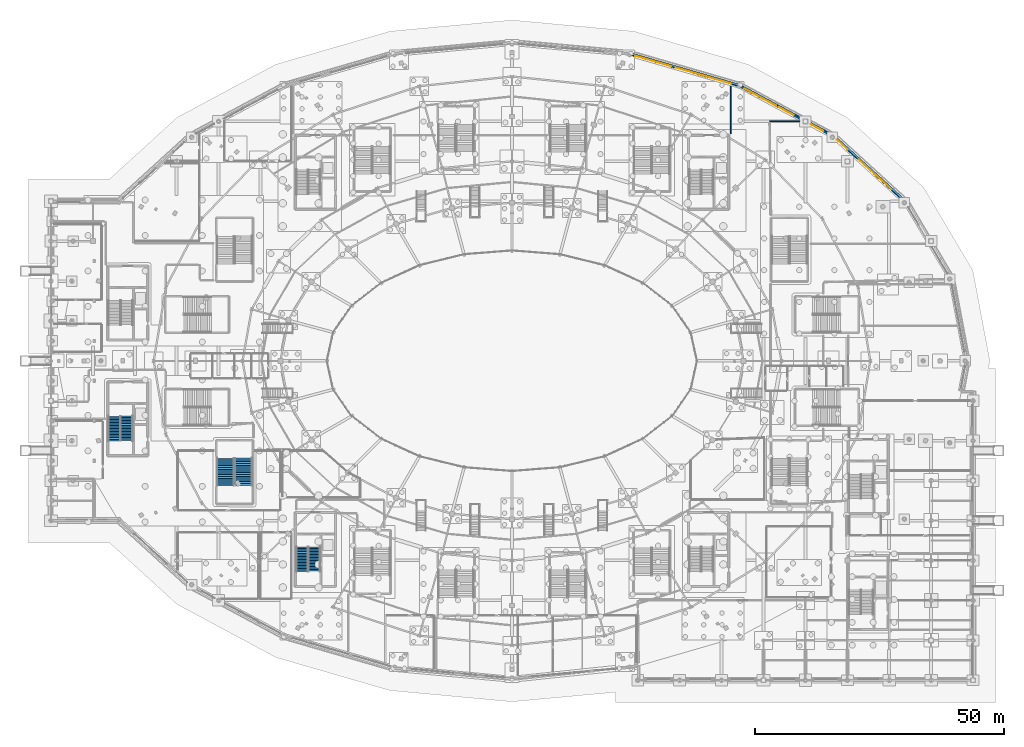
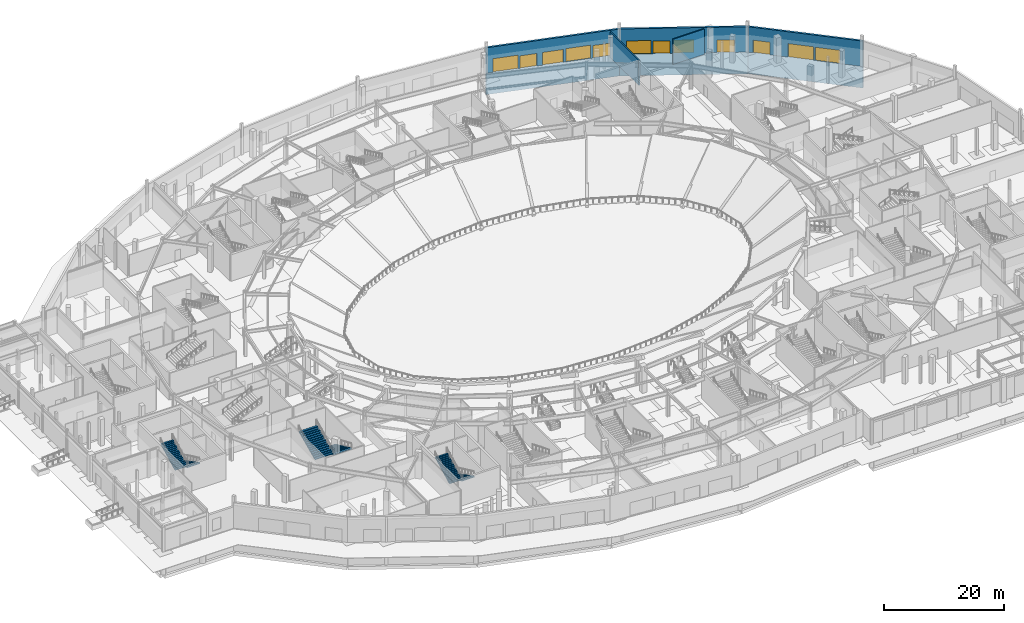
# One storey, part 64 of 93: 12 doors, 8 walls, 6 stair flights, 12 openings, 3 elements without a shape of their own.
"""IFC4 building model written with IfcOpenShell, lengths in metres."""

from ifc_helpers import new_model, si_unit, direction, frame, frame_2d, origin, place, context, subcontext, project, spatial, polyline, rectangle, outline, extrude, material, layer, layer_set, type_object, element, fill, aggregate, save


model = new_model("IFC4")

# Units and contexts
model_context = context("Model", 3, precision=1e-05, world=origin(), true_north=direction((0.0, 1.0)))
body_context = subcontext(model_context, "Body", "Model", "MODEL_VIEW")
ifc_project = project(units=[si_unit("LENGTHUNIT", "METRE"), si_unit("AREAUNIT", "SQUARE_METRE"), si_unit("VOLUMEUNIT", "CUBIC_METRE"), si_unit("PLANEANGLEUNIT", "RADIAN"), si_unit("MASSUNIT", "GRAM", prefix="KILO")], contexts=[model_context])

# Site, building, storey
site_placement = place(None, origin())
site = spatial("IfcSite", under=ifc_project, at=site_placement, CompositionType="ELEMENT")
building_placement = place(site_placement, origin())
building = spatial("IfcBuilding", under=site, at=building_placement, Name="Kalgoora Escarpment Arena", CompositionType="ELEMENT")
storey_placement = place(building_placement, origin())
storey = spatial("IfcBuildingStorey", under=building, at=storey_placement, Name="L00", CompositionType="ELEMENT", Elevation=0.0)

# Wall, openings, doors
ifc_material_1 = material(Name="Cream limestone-faced precast concrete 40 MPa", Category="masonry")
ifc_layer_1 = layer(ifc_material_1, 0.360107421875)
ifc_layer_set_1 = layer_set([ifc_layer_1], Name="WAL-EXT-360")
wall_type_1 = type_object("IfcWallType", Name="WAL-EXT-360", PredefinedType="SOLIDWALL", material=ifc_layer_set_1)
wall_1_placement = place(storey_placement, frame((115.91259765625, 125.465087890625, 0.0), z_axis=(0.0, 0.0, 1.0), x_axis=(0.960489205427, -0.278317240319, 0.0)))
wall_1 = element("IfcWall", 1, at=wall_1_placement, inside=storey, type_object=wall_type_1, Name="L00 limestone-faced external wall 018", PredefinedType="SOLIDWALL", context=body_context, shape_type="SweptSolid", body=[
    extrude(rectangle(XDim=22.987060546875, YDim=0.360107421875, at=frame_2d((11.49365234375, 0.0))), origin(), (0.0, 0.0, 1.0), 5.14990234375),
])
opening_1_placement = place(wall_1_placement, frame((9.693115234375, 0.0, 0.0)))
opening_1 = element("IfcOpeningElement", 2, at=opening_1_placement, cuts=wall_1, Name="Opening E7", PredefinedType="OPENING", context=body_context, shape_type="SweptSolid", body=[
    extrude(rectangle(XDim=3.60009765625, YDim=2.60009765625, at=frame_2d((1.800048828125, 1.300048828125))), frame((0.0, 0.18994140625, 0.0), z_axis=(0.0, -1.0, 0.0), x_axis=(1.0, 0.0, 0.0)), (0.0, 0.0, 1.0), 0.380126953125),
])
opening_2_placement = place(wall_1_placement, frame((1.219970703125, 0.0, 0.0)))
opening_2 = element("IfcOpeningElement", 3, at=opening_2_placement, cuts=wall_1, Name="Opening G26", PredefinedType="OPENING", context=body_context, shape_type="SweptSolid", body=[
    extrude(rectangle(XDim=4.300048828125, YDim=2.75, at=frame_2d((2.14990234375, 1.375))), frame((0.0, 0.18994140625, 0.0), z_axis=(0.0, -1.0, 0.0), x_axis=(1.0, 0.0, 0.0)), (0.0, 0.0, 1.0), 0.380126953125),
])
opening_3_placement = place(wall_1_placement, frame((13.760009765625, 0.0, 0.0)))
opening_3 = element("IfcOpeningElement", 4, at=opening_3_placement, cuts=wall_1, Name="Opening G27", PredefinedType="OPENING", context=body_context, shape_type="SweptSolid", body=[
    extrude(rectangle(XDim=4.199951171875, YDim=2.699951171875, at=frame_2d((2.10009765625, 1.35009765625))), frame((0.0, 0.18994140625, 0.0), z_axis=(0.0, -1.0, 0.0), x_axis=(1.0, 0.0, 0.0)), (0.0, 0.0, 1.0), 0.380126953125),
])
opening_4_placement = place(wall_1_placement, frame((5.840087890625, 0.0, 0.0)))
opening_4 = element("IfcOpeningElement", 5, at=opening_4_placement, cuts=wall_1, Name="Opening G53", PredefinedType="OPENING", context=body_context, shape_type="SweptSolid", body=[
    extrude(rectangle(XDim=2.89990234375, YDim=2.550048828125, at=frame_2d((1.449951171875, 1.27490234375))), frame((0.0, 0.18994140625, 0.0), z_axis=(0.0, -1.0, 0.0), x_axis=(1.0, 0.0, 0.0)), (0.0, 0.0, 1.0), 0.380126953125),
])
opening_5_placement = place(wall_1_placement, frame((18.3798828125, 0.0, 0.0)))
opening_5 = element("IfcOpeningElement", 6, at=opening_5_placement, cuts=wall_1, Name="Opening G54", PredefinedType="OPENING", context=body_context, shape_type="SweptSolid", body=[
    extrude(rectangle(XDim=2.89990234375, YDim=2.550048828125, at=frame_2d((1.449951171875, 1.27490234375))), frame((0.0, 0.18994140625, 0.0), z_axis=(0.0, -1.0, 0.0), x_axis=(1.0, 0.0, 0.0)), (0.0, 0.0, 1.0), 0.380126953125),
])
ifc_material_2 = material(Name="Champagne anodised aluminium acoustic egress leaf", Category="aluminium")
door_type_1 = type_object("IfcDoorType", Name="DR-EGEXIT-2750", OperationType="NOTDEFINED", PredefinedType="DOOR", material=ifc_material_2)
door_1_placement = place(opening_3_placement, origin())
door_1 = element("IfcDoor", 7, at=door_1_placement, inside=storey, type_object=door_type_1, Name="Final pedestrian exit door G27", OperationType="DOUBLE_DOOR_SINGLE_SWING", OverallHeight=2.699951171875, OverallWidth=4.199951171875, PredefinedType="DOOR", context=body_context, shape_type="SweptSolid", body=[
    extrude(rectangle(XDim=4.199951171875, YDim=2.699951171875, at=frame_2d((2.10009765625, 1.35009765625))), frame((0.0, 0.02490234375, 0.0), z_axis=(0.0, -1.0, 0.0), x_axis=(1.0, 0.0, 0.0)), (0.0, 0.0, 1.0), 0.050048828125),
])
fill(opening_3, door_1)
ifc_material_3 = material(Name="Champagne anodised aluminium acoustic egress leaf", Category="aluminium")
door_type_2 = type_object("IfcDoorType", Name="DR-EGEXIT-2800", OperationType="NOTDEFINED", PredefinedType="DOOR", material=ifc_material_3)
door_2_placement = place(opening_2_placement, origin())
door_2 = element("IfcDoor", 8, at=door_2_placement, inside=storey, type_object=door_type_2, Name="Final pedestrian exit door G26", OperationType="DOUBLE_DOOR_SINGLE_SWING", OverallHeight=2.75, OverallWidth=4.300048828125, PredefinedType="DOOR", context=body_context, shape_type="SweptSolid", body=[
    extrude(rectangle(XDim=4.300048828125, YDim=2.75, at=frame_2d((2.14990234375, 1.375))), frame((0.0, 0.02490234375, 0.0), z_axis=(0.0, -1.0, 0.0), x_axis=(1.0, 0.0, 0.0)), (0.0, 0.0, 1.0), 0.050048828125),
])
fill(opening_2, door_2)
ifc_material_4 = material(Name="Champagne anodised aluminium & toughened glass", Category="aluminium")
door_type_3 = type_object("IfcDoorType", Name="DR-MAIN-3600", OperationType="NOTDEFINED", PredefinedType="DOOR", material=ifc_material_4)
door_3_placement = place(opening_1_placement, origin())
door_3 = element("IfcDoor", 9, at=door_3_placement, inside=storey, type_object=door_type_3, Name="Main entrance E7", OperationType="DOUBLE_DOOR_SINGLE_SWING", OverallHeight=2.60009765625, OverallWidth=3.60009765625, PredefinedType="DOOR", context=body_context, shape_type="SweptSolid", body=[
    extrude(rectangle(XDim=3.60009765625, YDim=2.60009765625, at=frame_2d((1.800048828125, 1.300048828125))), frame((0.0, 0.02490234375, 0.0), z_axis=(0.0, -1.0, 0.0), x_axis=(1.0, 0.0, 0.0)), (0.0, 0.0, 1.0), 0.050048828125),
])
fill(opening_1, door_3)
ifc_material_5 = material(Name="Champagne anodised aluminium pedestrian egress gate leaf", Category="aluminium")
door_type_4 = type_object("IfcDoorType", Name="DR-PEDGATE-2900", OperationType="NOTDEFINED", PredefinedType="DOOR", material=ifc_material_5)
door_4_placement = place(opening_4_placement, origin())
door_4 = element("IfcDoor", 10, at=door_4_placement, inside=storey, type_object=door_type_4, Name="Final pedestrian exit door G53", OperationType="DOUBLE_DOOR_SINGLE_SWING", OverallHeight=2.550048828125, OverallWidth=2.89990234375, PredefinedType="DOOR", context=body_context, shape_type="SweptSolid", body=[
    extrude(rectangle(XDim=2.89990234375, YDim=2.550048828125, at=frame_2d((1.449951171875, 1.27490234375))), frame((0.0, 0.02490234375, 0.0), z_axis=(0.0, -1.0, 0.0), x_axis=(1.0, 0.0, 0.0)), (0.0, 0.0, 1.0), 0.050048828125),
])
fill(opening_4, door_4)
door_5_placement = place(opening_5_placement, origin())
door_5 = element("IfcDoor", 11, at=door_5_placement, inside=storey, type_object=door_type_4, Name="Final pedestrian exit door G54", OperationType="DOUBLE_DOOR_SINGLE_SWING", OverallHeight=2.550048828125, OverallWidth=2.89990234375, PredefinedType="DOOR", context=body_context, shape_type="SweptSolid", body=[
    extrude(rectangle(XDim=2.89990234375, YDim=2.550048828125, at=frame_2d((1.449951171875, 1.27490234375))), frame((0.0, 0.02490234375, 0.0), z_axis=(0.0, -1.0, 0.0), x_axis=(1.0, 0.0, 0.0)), (0.0, 0.0, 1.0), 0.050048828125),
])
fill(opening_5, door_5)

wall_2_placement = place(storey_placement, frame((137.876708984375, 119.1142578125, 0.0), z_axis=(0.0, 0.0, 1.0), x_axis=(0.881084068803, -0.47295968507, 0.0)))
wall_2 = element("IfcWall", 12, at=wall_2_placement, inside=storey, type_object=wall_type_1, Name="L00 limestone-faced external wall 019", PredefinedType="SOLIDWALL", context=body_context, shape_type="SweptSolid", body=[
    extrude(rectangle(XDim=21.52392578125, YDim=0.360107421875, at=frame_2d((10.761962890625, 0.0))), origin(), (0.0, 0.0, 1.0), 5.14990234375),
])
opening_6_placement = place(wall_2_placement, frame((16.31005859375, 0.0, 0.0)))
opening_6 = element("IfcOpeningElement", 13, at=opening_6_placement, cuts=wall_2, Name="Opening G03", PredefinedType="OPENING", context=body_context, shape_type="SweptSolid", body=[
    extrude(rectangle(XDim=2.89990234375, YDim=2.550048828125, at=frame_2d((1.449951171875, 1.27490234375))), frame((0.0, 0.18994140625, 0.0), z_axis=(0.0, -1.0, 0.0), x_axis=(1.0, 0.0, 0.0)), (0.0, 0.0, 1.0), 0.380126953125),
])
opening_7_placement = place(wall_2_placement, frame((9.037109375, 0.0, 0.0)))
opening_7 = element("IfcOpeningElement", 14, at=opening_7_placement, cuts=wall_2, Name="Opening E8", PredefinedType="OPENING", context=body_context, shape_type="SweptSolid", body=[
    extrude(rectangle(XDim=3.449951171875, YDim=2.60009765625, at=frame_2d((1.72509765625, 1.300048828125))), frame((0.0, 0.18994140625, 0.0), z_axis=(0.0, -1.0, 0.0), x_axis=(1.0, 0.0, 0.0)), (0.0, 0.0, 1.0), 0.380126953125),
])
opening_8_placement = place(wall_2_placement, frame((1.219970703125, 0.0, 0.0)))
opening_8 = element("IfcOpeningElement", 15, at=opening_8_placement, cuts=wall_2, Name="Opening G28", PredefinedType="OPENING", context=body_context, shape_type="SweptSolid", body=[
    extrude(rectangle(XDim=4.10009765625, YDim=2.699951171875, at=frame_2d((2.050048828125, 1.35009765625))), frame((0.0, 0.18994140625, 0.0), z_axis=(0.0, -1.0, 0.0), x_axis=(1.0, 0.0, 0.0)), (0.0, 0.0, 1.0), 0.380126953125),
])
opening_9_placement = place(wall_2_placement, frame((5.6201171875, 0.0, 0.0)))
opening_9 = element("IfcOpeningElement", 16, at=opening_9_placement, cuts=wall_2, Name="Opening G55", PredefinedType="OPENING", context=body_context, shape_type="SweptSolid", body=[
    extrude(rectangle(XDim=2.89990234375, YDim=2.550048828125, at=frame_2d((1.449951171875, 1.27490234375))), frame((0.0, 0.18994140625, 0.0), z_axis=(0.0, -1.0, 0.0), x_axis=(1.0, 0.0, 0.0)), (0.0, 0.0, 1.0), 0.380126953125),
])
ifc_material_6 = material(Name="Champagne anodised aluminium acoustic egress leaf", Category="aluminium")
door_type_5 = type_object("IfcDoorType", Name="DR-EGEXIT-2700", OperationType="NOTDEFINED", PredefinedType="DOOR", material=ifc_material_6)
door_6_placement = place(opening_8_placement, origin())
door_6 = element("IfcDoor", 17, at=door_6_placement, inside=storey, type_object=door_type_5, Name="Final pedestrian exit door G28", OperationType="DOUBLE_DOOR_SINGLE_SWING", OverallHeight=2.699951171875, OverallWidth=4.10009765625, PredefinedType="DOOR", context=body_context, shape_type="SweptSolid", body=[
    extrude(rectangle(XDim=4.10009765625, YDim=2.699951171875, at=frame_2d((2.050048828125, 1.35009765625))), frame((0.0, 0.02490234375, 0.0), z_axis=(0.0, -1.0, 0.0), x_axis=(1.0, 0.0, 0.0)), (0.0, 0.0, 1.0), 0.050048828125),
])
fill(opening_8, door_6)
ifc_material_7 = material(Name="Champagne anodised aluminium & toughened glass", Category="aluminium")
door_type_6 = type_object("IfcDoorType", Name="DR-MAIN-3450", OperationType="NOTDEFINED", PredefinedType="DOOR", material=ifc_material_7)
door_7_placement = place(opening_7_placement, origin())
door_7 = element("IfcDoor", 18, at=door_7_placement, inside=storey, type_object=door_type_6, Name="Main entrance E8", OperationType="DOUBLE_DOOR_SINGLE_SWING", OverallHeight=2.60009765625, OverallWidth=3.449951171875, PredefinedType="DOOR", context=body_context, shape_type="SweptSolid", body=[
    extrude(rectangle(XDim=3.449951171875, YDim=2.60009765625, at=frame_2d((1.72509765625, 1.300048828125))), frame((0.0, 0.02490234375, 0.0), z_axis=(0.0, -1.0, 0.0), x_axis=(1.0, 0.0, 0.0)), (0.0, 0.0, 1.0), 0.050048828125),
])
fill(opening_7, door_7)
door_8_placement = place(opening_6_placement, origin())
door_8 = element("IfcDoor", 19, at=door_8_placement, inside=storey, type_object=door_type_4, Name="Final pedestrian exit door G03", OperationType="DOUBLE_DOOR_SINGLE_SWING", OverallHeight=2.550048828125, OverallWidth=2.89990234375, PredefinedType="DOOR", context=body_context, shape_type="SweptSolid", body=[
    extrude(rectangle(XDim=2.89990234375, YDim=2.550048828125, at=frame_2d((1.449951171875, 1.27490234375))), frame((0.0, 0.02490234375, 0.0), z_axis=(0.0, -1.0, 0.0), x_axis=(1.0, 0.0, 0.0)), (0.0, 0.0, 1.0), 0.050048828125),
])
fill(opening_6, door_8)
door_9_placement = place(opening_9_placement, origin())
door_9 = element("IfcDoor", 20, at=door_9_placement, inside=storey, type_object=door_type_4, Name="Final pedestrian exit door G55", OperationType="DOUBLE_DOOR_SINGLE_SWING", OverallHeight=2.550048828125, OverallWidth=2.89990234375, PredefinedType="DOOR", context=body_context, shape_type="SweptSolid", body=[
    extrude(rectangle(XDim=2.89990234375, YDim=2.550048828125, at=frame_2d((1.449951171875, 1.27490234375))), frame((0.0, 0.02490234375, 0.0), z_axis=(0.0, -1.0, 0.0), x_axis=(1.0, 0.0, 0.0)), (0.0, 0.0, 1.0), 0.050048828125),
])
fill(opening_9, door_9)

wall_3_placement = place(storey_placement, frame((156.73486328125, 109.009521484375, 0.0), z_axis=(0.0, 0.0, 1.0), x_axis=(0.73898542478, -0.673721412724, 0.0)))
wall_3 = element("IfcWall", 21, at=wall_3_placement, inside=storey, type_object=wall_type_1, Name="L00 limestone-faced external wall 020", PredefinedType="SOLIDWALL", context=body_context, shape_type="SweptSolid", body=[
    extrude(rectangle(XDim=19.69921875, YDim=0.360107421875, at=frame_2d((9.849609375, 0.0))), origin(), (0.0, 0.0, 1.0), 5.14990234375),
])
opening_10_placement = place(wall_3_placement, frame((6.93994140625, 0.0, 0.0)))
opening_10 = element("IfcOpeningElement", 22, at=opening_10_placement, cuts=wall_3, Name="Opening G34", PredefinedType="OPENING", context=body_context, shape_type="SweptSolid", body=[
    extrude(rectangle(XDim=4.300048828125, YDim=2.75, at=frame_2d((2.14990234375, 1.375))), frame((0.0, 0.18994140625, 0.0), z_axis=(0.0, -1.0, 0.0), x_axis=(1.0, 0.0, 0.0)), (0.0, 0.0, 1.0), 0.380126953125),
])
opening_11_placement = place(wall_3_placement, frame((11.56005859375, 0.0, 0.0)))
opening_11 = element("IfcOpeningElement", 23, at=opening_11_placement, cuts=wall_3, Name="Opening G35", PredefinedType="OPENING", context=body_context, shape_type="SweptSolid", body=[
    extrude(rectangle(XDim=4.199951171875, YDim=2.699951171875, at=frame_2d((2.10009765625, 1.35009765625))), frame((0.0, 0.18994140625, 0.0), z_axis=(0.0, -1.0, 0.0), x_axis=(1.0, 0.0, 0.0)), (0.0, 0.0, 1.0), 0.380126953125),
])
opening_12_placement = place(wall_3_placement, frame((1.0, 0.0, 0.0)))
opening_12 = element("IfcOpeningElement", 24, at=opening_12_placement, cuts=wall_3, Name="Opening G59", PredefinedType="OPENING", context=body_context, shape_type="SweptSolid", body=[
    extrude(rectangle(XDim=2.89990234375, YDim=2.550048828125, at=frame_2d((1.449951171875, 1.27490234375))), frame((0.0, 0.18994140625, 0.0), z_axis=(0.0, -1.0, 0.0), x_axis=(1.0, 0.0, 0.0)), (0.0, 0.0, 1.0), 0.380126953125),
])
door_10_placement = place(opening_11_placement, origin())
door_10 = element("IfcDoor", 25, at=door_10_placement, inside=storey, type_object=door_type_1, Name="Final pedestrian exit door G35", OperationType="DOUBLE_DOOR_SINGLE_SWING", OverallHeight=2.699951171875, OverallWidth=4.199951171875, PredefinedType="DOOR", context=body_context, shape_type="SweptSolid", body=[
    extrude(rectangle(XDim=4.199951171875, YDim=2.699951171875, at=frame_2d((2.10009765625, 1.35009765625))), frame((0.0, 0.02490234375, 0.0), z_axis=(0.0, -1.0, 0.0), x_axis=(1.0, 0.0, 0.0)), (0.0, 0.0, 1.0), 0.050048828125),
])
fill(opening_11, door_10)
door_11_placement = place(opening_10_placement, origin())
door_11 = element("IfcDoor", 26, at=door_11_placement, inside=storey, type_object=door_type_2, Name="Final pedestrian exit door G34", OperationType="DOUBLE_DOOR_SINGLE_SWING", OverallHeight=2.75, OverallWidth=4.300048828125, PredefinedType="DOOR", context=body_context, shape_type="SweptSolid", body=[
    extrude(rectangle(XDim=4.300048828125, YDim=2.75, at=frame_2d((2.14990234375, 1.375))), frame((0.0, 0.02490234375, 0.0), z_axis=(0.0, -1.0, 0.0), x_axis=(1.0, 0.0, 0.0)), (0.0, 0.0, 1.0), 0.050048828125),
])
fill(opening_10, door_11)
door_12_placement = place(opening_12_placement, origin())
door_12 = element("IfcDoor", 27, at=door_12_placement, inside=storey, type_object=door_type_4, Name="Final pedestrian exit door G59", OperationType="DOUBLE_DOOR_SINGLE_SWING", OverallHeight=2.550048828125, OverallWidth=2.89990234375, PredefinedType="DOOR", context=body_context, shape_type="SweptSolid", body=[
    extrude(rectangle(XDim=2.89990234375, YDim=2.550048828125, at=frame_2d((1.449951171875, 1.27490234375))), frame((0.0, 0.02490234375, 0.0), z_axis=(0.0, -1.0, 0.0), x_axis=(1.0, 0.0, 0.0)), (0.0, 0.0, 1.0), 0.050048828125),
])
fill(opening_12, door_12)

# Walls
ifc_material_8 = material(Name="Autoclaved aerated blockwork Concrete N40 (fc' 40 MPa)", Category="masonry")
ifc_layer_2 = layer(ifc_material_8, 0.219970703125)
ifc_layer_set_2 = layer_set([ifc_layer_2], Name="WAL-FIRE-220")
wall_type_2 = type_object("IfcWallType", Name="WAL-FIRE-220", PredefinedType="SOLIDWALL", material=ifc_layer_set_2)
wall_4_placement = place(storey_placement, frame((136.199951171875, 119.0380859375, 0.0), z_axis=(0.0, 0.0, 1.0), x_axis=(0.0, -1.0, 0.0)))
element("IfcWall", 28, at=wall_4_placement, inside=storey, type_object=wall_type_2, Name="L00 North Protected Exit Passageway partition wall", PredefinedType="SOLIDWALL", context=body_context, shape_type="SweptSolid", body=[
    extrude(rectangle(XDim=9.544677734375, YDim=0.219970703125, at=frame_2d((4.7724609375, 0.0))), origin(), (0.0, 0.0, 1.0), 5.1201171875),
])
wall_5_placement = place(storey_placement, frame((144.080078125, 112.0, 0.0), z_axis=(0.0, 0.0, 1.0), x_axis=(1.0, 0.0, 0.0)))
element("IfcWall", 29, at=wall_5_placement, inside=storey, type_object=wall_type_2, Name="L00 North-East Protected Exit Passageway 2 partition wall", PredefinedType="SOLIDWALL", context=body_context, shape_type="SweptSolid", body=[
    extrude(rectangle(XDim=6.0185546875, YDim=0.219970703125, at=frame_2d((3.00927734375, 0.0))), origin(), (0.0, 0.0, 1.0), 5.1201171875),
])
ifc_material_9 = material(Name="Concrete N40 (fc' 40 MPa)", Category="concrete")
ifc_layer_3 = layer(ifc_material_9, 0.39501953125)
ifc_layer_set_3 = layer_set([ifc_layer_3], Name="WAL-RET-395")
wall_type_3 = type_object("IfcWallType", Name="WAL-RET-395", PredefinedType="USERDEFINED", material=ifc_layer_set_3)
wall_6_placement = place(storey_placement, frame((116.00439453125, 125.626220703125, -4.5), z_axis=(0.0, 0.0, 1.0), x_axis=(0.960486896269, -0.278325209236, 0.0)))
element("IfcWall", 30, at=wall_6_placement, inside=storey, type_object=wall_type_3, Name="Escarpment stepped limestone plinth retaining wall 16", ObjectType="RETAININGWALL", PredefinedType="USERDEFINED", context=body_context, shape_type="SweptSolid", body=[
    extrude(rectangle(XDim=22.900390625, YDim=0.39501953125, at=frame_2d((11.4501953125, 0.0))), origin(), (0.0, 0.0, 1.0), 4.5),
])
wall_7_placement = place(storey_placement, frame((156.88818359375, 109.11328125, -4.5), z_axis=(0.0, 0.0, 1.0), x_axis=(0.73898628446, -0.673720469764, 0.0)))
element("IfcWall", 31, at=wall_7_placement, inside=storey, type_object=wall_type_3, Name="Escarpment stepped limestone plinth retaining wall 18", ObjectType="RETAININGWALL", PredefinedType="USERDEFINED", context=body_context, shape_type="SweptSolid", body=[
    extrude(rectangle(XDim=19.612548828125, YDim=0.39501953125, at=frame_2d((9.80615234375, 0.0))), origin(), (0.0, 0.0, 1.0), 4.5),
])
ifc_material_10 = material(Name="Concrete N40 (fc' 40 MPa)", Category="concrete")
ifc_layer_4 = layer(ifc_material_10, 0.43994140625)
ifc_layer_set_4 = layer_set([ifc_layer_4], Name="WAL-RET-440")
wall_type_4 = type_object("IfcWallType", Name="WAL-RET-440", PredefinedType="USERDEFINED", material=ifc_layer_set_4)
wall_8_placement = place(storey_placement, frame((138.0, 119.25244140625, -4.5), z_axis=(0.0, 0.0, 1.0), x_axis=(0.881081793717, -0.472963923339, 0.0)))
element("IfcWall", 32, at=wall_8_placement, inside=storey, type_object=wall_type_4, Name="Escarpment stepped limestone plinth retaining wall 17", ObjectType="RETAININGWALL", PredefinedType="USERDEFINED", context=body_context, shape_type="SweptSolid", body=[
    extrude(rectangle(XDim=21.4375, YDim=0.43994140625, at=frame_2d((10.71875, 0.0))), origin(), (0.0, 0.0, 1.0), 4.5),
])

# Stair, stair flights
ifc_material_11 = material(Name="Concrete N40 (fc' 40 MPa)", Category="concrete")
stair_type_1 = type_object("IfcStairType", Name="STR-EXIT-1", PredefinedType="HALF_TURN_STAIR", material=ifc_material_11)
stair_1_placement = place(storey_placement, origin())
stair_1 = element("IfcStair", 33, at=stair_1_placement, inside=storey, type_object=stair_type_1, Name="Fire-isolated exit stair ST05 (L00)", PredefinedType="HALF_TURN_STAIR")
ifc_material_12 = material(Name="Concrete N40 (fc' 40 MPa)", Category="concrete")
stair_flight_type_1 = type_object("IfcStairFlightType", Name="FLT-EXIT-1", PredefinedType="STRAIGHT", material=ifc_material_12)
stair_flight_1_placement = place(storey_placement, frame((52.760009765625, 26.72998046875, 0.0), z_axis=(0.0, 0.0, 1.0), x_axis=(0.0, -1.0, 0.0)))
stair_flight_1 = element("IfcStairFlight", 34, at=stair_flight_1_placement, type_object=stair_flight_type_1, Name="ST05 L00 lower flight", NumberOfRisers=17, NumberOfTreads=16, PredefinedType="STRAIGHT", RiserHeight=0.158824, TreadLength=0.305, context=body_context, shape_type="SweptSolid", body=[
    extrude(outline(polyline([(0.0, 0.0), (0.0, 0.158935546875), (0.304931640625, 0.158935546875), (0.304931640625, 0.317626953125), (0.610107421875, 0.317626953125), (0.610107421875, 0.4765625), (0.9150390625, 0.4765625), (0.9150390625, 0.63525390625), (1.219970703125, 0.63525390625), (1.219970703125, 0.794189453125), (1.52490234375, 0.794189453125), (1.52490234375, 0.952880859375), (1.830078125, 0.952880859375), (1.830078125, 1.11181640625), (2.135009765625, 1.11181640625), (2.135009765625, 1.2705078125), (2.43994140625, 1.2705078125), (2.43994140625, 1.429443359375), (2.7451171875, 1.429443359375), (2.7451171875, 1.588134765625), (3.050048828125, 1.588134765625), (3.050048828125, 1.7470703125), (3.35498046875, 1.7470703125), (3.35498046875, 1.906005859375), (3.659912109375, 1.906005859375), (3.659912109375, 2.064697265625), (3.965087890625, 2.064697265625), (3.965087890625, 2.2236328125), (4.27001953125, 2.2236328125), (4.27001953125, 2.38232421875), (4.574951171875, 2.38232421875), (4.574951171875, 2.541259765625), (4.8798828125, 2.541259765625), (4.8798828125, 2.699951171875), (4.8798828125, 2.349609375), (0.367919921875, 0.0), (0.0, 0.0)])), frame((0.0, 1.18994140625, 0.0), z_axis=(0.0, -1.0, 0.0), x_axis=(1.0, 0.0, 0.0)), (0.0, 0.0, 1.0), 2.3798828125),
])
stair_flight_2_placement = place(storey_placement, frame((50.340087890625, 21.7900390625, 2.699951171875), z_axis=(0.0, 0.0, 1.0), x_axis=(0.0, 1.0, 0.0)))
stair_flight_2 = element("IfcStairFlight", 35, at=stair_flight_2_placement, type_object=stair_flight_type_1, Name="ST05 L00 upper flight", NumberOfRisers=17, NumberOfTreads=16, PredefinedType="STRAIGHT", RiserHeight=0.158824, TreadLength=0.305, context=body_context, shape_type="SweptSolid", body=[
    extrude(outline(polyline([(0.0, 0.0), (0.0, 0.158935546875), (0.304931640625, 0.158935546875), (0.304931640625, 0.317626953125), (0.610107421875, 0.317626953125), (0.610107421875, 0.4765625), (0.9150390625, 0.4765625), (0.9150390625, 0.63525390625), (1.219970703125, 0.63525390625), (1.219970703125, 0.794189453125), (1.52490234375, 0.794189453125), (1.52490234375, 0.952880859375), (1.830078125, 0.952880859375), (1.830078125, 1.11181640625), (2.135009765625, 1.11181640625), (2.135009765625, 1.2705078125), (2.43994140625, 1.2705078125), (2.43994140625, 1.429443359375), (2.7451171875, 1.429443359375), (2.7451171875, 1.588134765625), (3.050048828125, 1.588134765625), (3.050048828125, 1.7470703125), (3.35498046875, 1.7470703125), (3.35498046875, 1.906005859375), (3.659912109375, 1.906005859375), (3.659912109375, 2.064697265625), (3.965087890625, 2.064697265625), (3.965087890625, 2.2236328125), (4.27001953125, 2.2236328125), (4.27001953125, 2.38232421875), (4.574951171875, 2.38232421875), (4.574951171875, 2.541259765625), (4.8798828125, 2.541259765625), (4.8798828125, 2.699951171875), (4.8798828125, 2.349609375), (0.367919921875, 0.0), (0.0, 0.0)])), frame((0.0, 1.18994140625, 0.0), z_axis=(0.0, -1.0, 0.0), x_axis=(1.0, 0.0, 0.0)), (0.0, 0.0, 1.0), 2.3798828125),
])
aggregate(stair_1, [stair_flight_1, stair_flight_2])

ifc_material_13 = material(Name="Concrete N40 (fc' 40 MPa)", Category="concrete")
stair_type_2 = type_object("IfcStairType", Name="STR-EXIT-2", PredefinedType="HALF_TURN_STAIR", material=ifc_material_13)
stair_2_placement = place(storey_placement, origin())
stair_2 = element("IfcStair", 36, at=stair_2_placement, inside=storey, type_object=stair_type_2, Name="Fire-isolated exit stair ST02 (L00)", PredefinedType="HALF_TURN_STAIR")
ifc_material_14 = material(Name="Concrete N40 (fc' 40 MPa)", Category="concrete")
stair_flight_type_2 = type_object("IfcStairFlightType", Name="FLT-EXIT-2", PredefinedType="STRAIGHT", material=ifc_material_14)
stair_flight_3_placement = place(storey_placement, frame((15.157470703125, 52.929931640625, 0.0), z_axis=(0.0, 0.0, 1.0), x_axis=(0.0, -1.0, 0.0)))
stair_flight_3 = element("IfcStairFlight", 37, at=stair_flight_3_placement, type_object=stair_flight_type_2, Name="ST02 L00 lower flight", NumberOfRisers=17, NumberOfTreads=16, PredefinedType="STRAIGHT", RiserHeight=0.158824, TreadLength=0.305, context=body_context, shape_type="SweptSolid", body=[
    extrude(outline(polyline([(0.0, 0.0), (0.0, 0.158935546875), (0.304931640625, 0.158935546875), (0.304931640625, 0.317626953125), (0.610107421875, 0.317626953125), (0.610107421875, 0.4765625), (0.9150390625, 0.4765625), (0.9150390625, 0.63525390625), (1.219970703125, 0.63525390625), (1.219970703125, 0.794189453125), (1.52490234375, 0.794189453125), (1.52490234375, 0.952880859375), (1.830078125, 0.952880859375), (1.830078125, 1.11181640625), (2.135009765625, 1.11181640625), (2.135009765625, 1.2705078125), (2.43994140625, 1.2705078125), (2.43994140625, 1.429443359375), (2.7451171875, 1.429443359375), (2.7451171875, 1.588134765625), (3.050048828125, 1.588134765625), (3.050048828125, 1.7470703125), (3.35498046875, 1.7470703125), (3.35498046875, 1.906005859375), (3.659912109375, 1.906005859375), (3.659912109375, 2.064697265625), (3.965087890625, 2.064697265625), (3.965087890625, 2.2236328125), (4.27001953125, 2.2236328125), (4.27001953125, 2.38232421875), (4.574951171875, 2.38232421875), (4.574951171875, 2.541259765625), (4.8798828125, 2.541259765625), (4.8798828125, 2.699951171875), (4.8798828125, 2.349609375), (0.367919921875, 0.0), (0.0, 0.0)])), frame((0.0, 1.1923828125, 0.0), z_axis=(0.0, -1.0, 0.0), x_axis=(1.0, 0.0, 0.0)), (0.0, 0.0, 1.0), 2.385009765625),
])
stair_flight_4_placement = place(storey_placement, frame((12.742431640625, 47.989990234375, 2.699951171875), z_axis=(0.0, 0.0, 1.0), x_axis=(0.0, 1.0, 0.0)))
stair_flight_4 = element("IfcStairFlight", 38, at=stair_flight_4_placement, type_object=stair_flight_type_2, Name="ST02 L00 upper flight", NumberOfRisers=17, NumberOfTreads=16, PredefinedType="STRAIGHT", RiserHeight=0.158824, TreadLength=0.305, context=body_context, shape_type="SweptSolid", body=[
    extrude(outline(polyline([(0.0, 0.0), (0.0, 0.158935546875), (0.304931640625, 0.158935546875), (0.304931640625, 0.317626953125), (0.610107421875, 0.317626953125), (0.610107421875, 0.4765625), (0.9150390625, 0.4765625), (0.9150390625, 0.63525390625), (1.219970703125, 0.63525390625), (1.219970703125, 0.794189453125), (1.52490234375, 0.794189453125), (1.52490234375, 0.952880859375), (1.830078125, 0.952880859375), (1.830078125, 1.11181640625), (2.135009765625, 1.11181640625), (2.135009765625, 1.2705078125), (2.43994140625, 1.2705078125), (2.43994140625, 1.429443359375), (2.7451171875, 1.429443359375), (2.7451171875, 1.588134765625), (3.050048828125, 1.588134765625), (3.050048828125, 1.7470703125), (3.35498046875, 1.7470703125), (3.35498046875, 1.906005859375), (3.659912109375, 1.906005859375), (3.659912109375, 2.064697265625), (3.965087890625, 2.064697265625), (3.965087890625, 2.2236328125), (4.27001953125, 2.2236328125), (4.27001953125, 2.38232421875), (4.574951171875, 2.38232421875), (4.574951171875, 2.541259765625), (4.8798828125, 2.541259765625), (4.8798828125, 2.699951171875), (4.8798828125, 2.349609375), (0.367919921875, 0.0), (0.0, 0.0)])), frame((0.0, 1.1923828125, 0.0), z_axis=(0.0, -1.0, 0.0), x_axis=(1.0, 0.0, 0.0)), (0.0, 0.0, 1.0), 2.385009765625),
])
aggregate(stair_2, [stair_flight_3, stair_flight_4])

ifc_material_15 = material(Name="Precast concrete N50 (fc' 50 MPa)", Category="concrete")
stair_type_3 = type_object("IfcStairType", Name="STR-STAD-4", PredefinedType="HALF_TURN_STAIR", material=ifc_material_15)
stair_3_placement = place(storey_placement, origin())
stair_3 = element("IfcStair", 39, at=stair_3_placement, inside=storey, type_object=stair_type_3, Name="Fire-isolated exit stair ST20 (L00)", PredefinedType="HALF_TURN_STAIR")
ifc_material_16 = material(Name="Precast concrete N50 (fc' 50 MPa)", Category="concrete")
stair_flight_type_3 = type_object("IfcStairFlightType", Name="FLT-STAD-4", PredefinedType="STRAIGHT", material=ifc_material_16)
stair_flight_5_placement = place(storey_placement, frame((38.60009765625, 44.530029296875, 0.0), z_axis=(0.0, 0.0, 1.0), x_axis=(0.0, -1.0, 0.0)))
stair_flight_5 = element("IfcStairFlight", 40, at=stair_flight_5_placement, type_object=stair_flight_type_3, Name="ST20 L00 lower flight", NumberOfRisers=16, NumberOfTreads=15, PredefinedType="STRAIGHT", RiserHeight=0.16875, TreadLength=0.365, context=body_context, shape_type="SweptSolid", body=[
    extrude(outline(polyline([(0.0, 0.0), (0.0, 0.168701171875), (0.364990234375, 0.168701171875), (0.364990234375, 0.33740234375), (0.72998046875, 0.33740234375), (0.72998046875, 0.50634765625), (1.094970703125, 0.50634765625), (1.094970703125, 0.675048828125), (1.4599609375, 0.675048828125), (1.4599609375, 0.84375), (1.824951171875, 0.84375), (1.824951171875, 1.012451171875), (2.18994140625, 1.012451171875), (2.18994140625, 1.18115234375), (2.554931640625, 1.18115234375), (2.554931640625, 1.35009765625), (2.919921875, 1.35009765625), (2.919921875, 1.518798828125), (3.284912109375, 1.518798828125), (3.284912109375, 1.6875), (3.64990234375, 1.6875), (3.64990234375, 1.856201171875), (4.014892578125, 1.856201171875), (4.014892578125, 2.02490234375), (4.3798828125, 2.02490234375), (4.3798828125, 2.19384765625), (4.7451171875, 2.19384765625), (4.7451171875, 2.362548828125), (5.110107421875, 2.362548828125), (5.110107421875, 2.53125), (5.47509765625, 2.53125), (5.47509765625, 2.699951171875), (5.47509765625, 2.343994140625), (0.405029296875, 0.0), (0.0, 0.0)])), frame((0.0, 1.75, 0.0), z_axis=(0.0, -1.0, 0.0), x_axis=(1.0, 0.0, 0.0)), (0.0, 0.0, 1.0), 3.5),
])
stair_flight_6_placement = place(storey_placement, frame((35.0, 38.9951171875, 2.699951171875), z_axis=(0.0, 0.0, 1.0), x_axis=(0.0, 1.0, 0.0)))
stair_flight_6 = element("IfcStairFlight", 41, at=stair_flight_6_placement, type_object=stair_flight_type_3, Name="ST20 L00 upper flight", NumberOfRisers=16, NumberOfTreads=15, PredefinedType="STRAIGHT", RiserHeight=0.16875, TreadLength=0.365, context=body_context, shape_type="SweptSolid", body=[
    extrude(outline(polyline([(0.0, 0.0), (0.0, 0.168701171875), (0.364990234375, 0.168701171875), (0.364990234375, 0.33740234375), (0.72998046875, 0.33740234375), (0.72998046875, 0.50634765625), (1.094970703125, 0.50634765625), (1.094970703125, 0.675048828125), (1.4599609375, 0.675048828125), (1.4599609375, 0.84375), (1.824951171875, 0.84375), (1.824951171875, 1.012451171875), (2.18994140625, 1.012451171875), (2.18994140625, 1.18115234375), (2.554931640625, 1.18115234375), (2.554931640625, 1.35009765625), (2.919921875, 1.35009765625), (2.919921875, 1.518798828125), (3.284912109375, 1.518798828125), (3.284912109375, 1.6875), (3.64990234375, 1.6875), (3.64990234375, 1.856201171875), (4.014892578125, 1.856201171875), (4.014892578125, 2.02490234375), (4.3798828125, 2.02490234375), (4.3798828125, 2.19384765625), (4.7451171875, 2.19384765625), (4.7451171875, 2.362548828125), (5.110107421875, 2.362548828125), (5.110107421875, 2.53125), (5.47509765625, 2.53125), (5.47509765625, 2.699951171875), (5.47509765625, 2.343994140625), (0.405029296875, 0.0), (0.0, 0.0)])), frame((0.0, 1.75, 0.0), z_axis=(0.0, -1.0, 0.0), x_axis=(1.0, 0.0, 0.0)), (0.0, 0.0, 1.0), 3.5),
])
aggregate(stair_3, [stair_flight_5, stair_flight_6])

save(model, "model.ifc")
